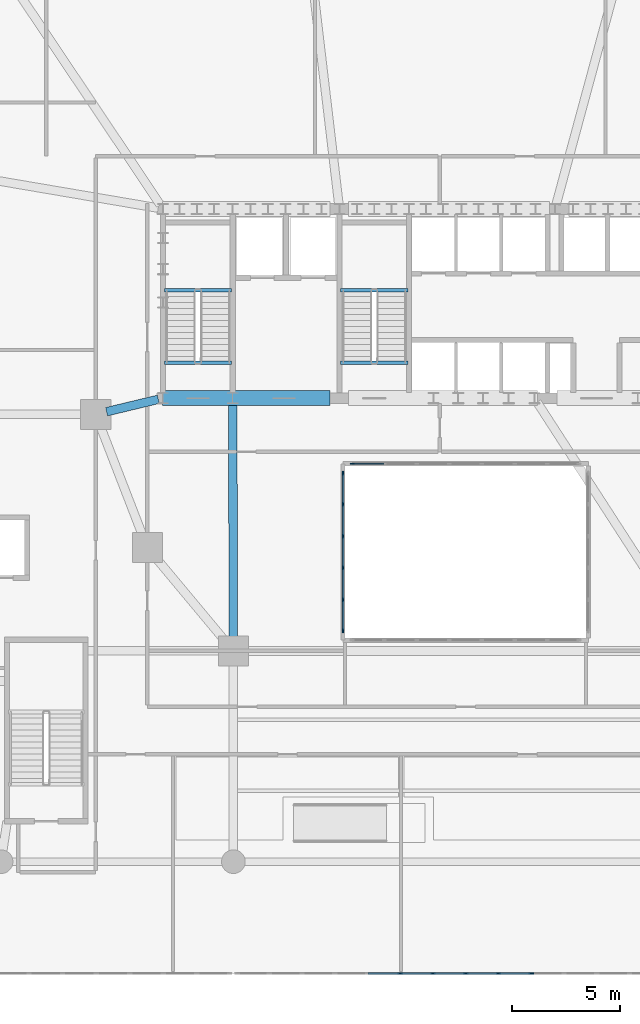
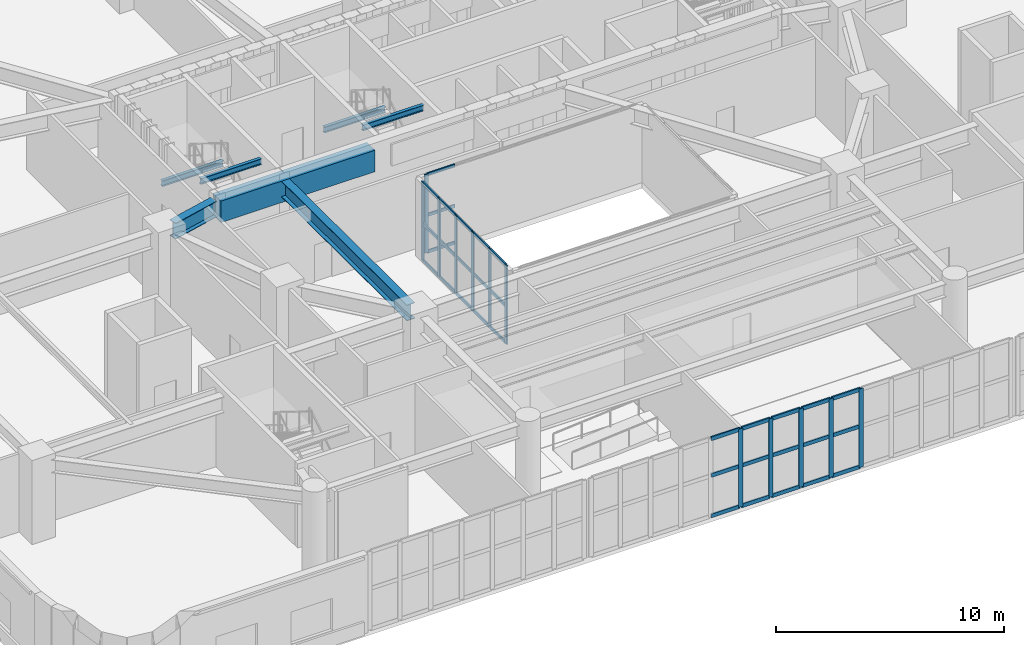
# One storey, part 4 of 25: 45 members, 7 beams, 3 elements without a shape of their own.
"""IFC4 building model written with IfcOpenShell, lengths in metres."""

import ifcopenshell
import ifcopenshell.guid

model = None  # the IFC model being written
_history = None  # IfcOwnerHistory: only IFC2X3 demands one
_inside = {}  # id of a spatial element -> (the spatial element, [elements in it])
_under = {}  # id of a project, library or spatial element -> (it, [spatial elements below it])
_declared = {}  # id of a project -> (the project, [libraries it declares])
_typed = {}  # id of a type object -> (the type object, [elements of that type])
_made_of = {}  # id of a material, layer set ... -> (it, [elements and type objects made of it])


def new_model(schema):
    """Start an empty IFC model of exactly this schema.

    Asked for "IFC4X3", IfcOpenShell would pick the latest addendum, in which some entities
    have other attributes; the version numbers below select the first issue.
    IFC2X3 requires an IfcOwnerHistory on every rooted entity: one is made here for all.
    """
    global model, _history
    if schema == "IFC4X3":
        model = ifcopenshell.file(schema_version=(4, 3, 0, 0))
    else:
        model = ifcopenshell.file(schema=schema)
    _inside.clear()
    _under.clear()
    _declared.clear()
    _typed.clear()
    _made_of.clear()
    _history = None
    if model.schema == "IFC2X3":
        org = make("IfcOrganization", Name="unknown")
        user = make(
            "IfcPersonAndOrganization",
            ThePerson=make("IfcPerson", FamilyName="unknown"),
            TheOrganization=org,
        )
        app = make(
            "IfcApplication",
            ApplicationDeveloper=org,
            Version="unknown",
            ApplicationFullName="unknown",
            ApplicationIdentifier="unknown",
        )
        _history = make(
            "IfcOwnerHistory",
            OwningUser=user,
            OwningApplication=app,
            ChangeAction="ADDED",
            CreationDate=0,
        )
    return model


def make(cls, **values):
    """One entity of the class cls with the attributes given. An attribute that is None is left unset."""
    return model.create_entity(
        cls, **{name: value for name, value in values.items() if value is not None}
    )


def rooted(cls, **values):
    """An entity with a GlobalId (a new one), such as an element, a storey or a relation."""
    return make(cls, GlobalId=ifcopenshell.guid.new(), OwnerHistory=_history, **values)


def si_unit(unit_type, name, prefix=None):
    """IfcSIUnit, for example si_unit("LENGTHUNIT", "METRE", prefix="MILLI")."""
    return make("IfcSIUnit", UnitType=unit_type, Prefix=prefix, Name=name)


def assignment(units):
    """IfcUnitAssignment: the units of a project."""
    return None if units is None else make("IfcUnitAssignment", Units=units)


def point(xyz):
    """IfcCartesianPoint."""
    return None if xyz is None else make("IfcCartesianPoint", Coordinates=xyz)


def direction(xyz):
    """IfcDirection."""
    return None if xyz is None else make("IfcDirection", DirectionRatios=xyz)


def frame(location, z_axis=None, x_axis=None):
    """IfcAxis2Placement3D, a coordinate frame: its origin and axes. An axis left out is left unset."""
    return make(
        "IfcAxis2Placement3D",
        Location=point(location),
        Axis=direction(z_axis),
        RefDirection=direction(x_axis),
    )


def frame_2d(location, x_axis=None):
    """IfcAxis2Placement2D, a coordinate frame in the plane: its origin and x axis."""
    return make(
        "IfcAxis2Placement2D", Location=point(location), RefDirection=direction(x_axis)
    )


def origin():
    """The frame at (0, 0, 0) with its axes left unset."""
    return frame((0.0, 0.0, 0.0))


def origin_2d():
    """The frame at (0, 0) in the plane with its x axis left unset."""
    return frame_2d((0.0, 0.0))


def place(relative_to, where):
    """IfcLocalPlacement: puts the frame where relative to a parent placement (None: the world)."""
    return make(
        "IfcLocalPlacement", PlacementRelTo=relative_to, RelativePlacement=where
    )


def context(
    kind, dimensions, precision=None, world=None, true_north=None, identifier=None
):
    """IfcGeometricRepresentationContext, for example the 3D "Model" context."""
    return make(
        "IfcGeometricRepresentationContext",
        ContextIdentifier=identifier,
        ContextType=kind,
        CoordinateSpaceDimension=dimensions,
        Precision=precision,
        WorldCoordinateSystem=world,
        TrueNorth=true_north,
    )


def subcontext(parent, identifier, kind, view, scale=None):
    """IfcGeometricRepresentationSubContext, for example "Body" below "Model"."""
    return make(
        "IfcGeometricRepresentationSubContext",
        ContextIdentifier=identifier,
        ContextType=kind,
        ParentContext=parent,
        TargetScale=scale,
        TargetView=view,
    )


def project(units=None, contexts=None):
    """IfcProject with its units and contexts."""
    return rooted(
        "IfcProject",
        Name="project",
        RepresentationContexts=contexts,
        UnitsInContext=assignment(units),
    )


def spatial(cls, under=None, at=None, **own):
    """A site, building, storey or space (cls), placed at a placement, below another one or the project."""
    s = rooted(cls, ObjectPlacement=at, **own)
    if under is not None:
        _under.setdefault(under.id(), (under, []))[1].append(s)
    return s


def profile(cls, at=None, kind="AREA", **sizes):
    """A parametric profile (cls). Its sizes go by their IFC names, for example OverallWidth=200.0."""
    return make(cls, ProfileType=kind, Position=at, **sizes)


def rectangle(**sizes):
    """IfcRectangleProfileDef."""
    return profile("IfcRectangleProfileDef", **sizes)


def i_section(**sizes):
    """IfcIShapeProfileDef."""
    return profile("IfcIShapeProfileDef", **sizes)


def extrude(swept, where, along, depth):
    """IfcExtrudedAreaSolid: the profile swept, set in the frame where, extruded along a direction by depth."""
    return make(
        "IfcExtrudedAreaSolid",
        SweptArea=swept,
        Position=where,
        ExtrudedDirection=direction(along),
        Depth=depth,
    )


def shape(context_of_items, identifier, shape_type, items):
    """IfcShapeRepresentation: the items that make up one representation, for example the "Body"."""
    return make(
        "IfcShapeRepresentation",
        ContextOfItems=context_of_items,
        RepresentationIdentifier=identifier,
        RepresentationType=shape_type,
        Items=items,
    )


def material(Name=None, Category=None):
    """IfcMaterial."""
    return make("IfcMaterial", Name=Name, Category=Category)


def material_profile(
    of_material, cross_section, Name=None, Category=None, Priority=None
):
    """IfcMaterialProfile: a cross section and its material."""
    return make(
        "IfcMaterialProfile",
        Name=Name,
        Material=of_material,
        Profile=cross_section,
        Priority=Priority,
        Category=Category,
    )


def profile_set(profiles, Name=None, composite=None):
    """IfcMaterialProfileSet."""
    return make(
        "IfcMaterialProfileSet",
        Name=Name,
        MaterialProfiles=profiles,
        CompositeProfile=composite,
    )


def made_of(thing, what):
    """Note that an element or type object is made of a material, layer set ...; save() writes the relation."""
    if what is not None:
        _made_of.setdefault(what.id(), (what, []))[1].append(thing)
    return thing


def type_object(cls, material=None, **own):
    """A type object (cls), such as IfcWallType, which elements share."""
    return made_of(rooted(cls, **own), material)


def element(
    cls,
    number,
    at=None,
    inside=None,
    cuts=None,
    type_object=None,
    material=None,
    context=None,
    identifier="Body",
    shape_type=None,
    held_by="IfcProductDefinitionShape",
    body=None,
    shapes=None,
    **own,
):
    """One element of the class cls, such as IfcWall. Its Tag is "e" and its number.

    at: its placement. inside: the storey or other place that contains it. cuts: it is an
    opening in that element (IfcRelVoidsElement). A single representation is given by context,
    identifier, shape_type and body (its items); several are given by shapes. held_by: the class
    of the entity that holds the representations. save() writes the other relations.
    """
    e = rooted(cls, Tag="e%d" % number, ObjectPlacement=at, **own)
    if body is not None:
        shapes = [shape(context, identifier, shape_type, body)]
    if shapes is not None:
        e.Representation = make(held_by, Representations=shapes)
    if inside is not None:
        _inside.setdefault(inside.id(), (inside, []))[1].append(e)
    if cuts is not None:
        rooted(
            "IfcRelVoidsElement", RelatingBuildingElement=cuts, RelatedOpeningElement=e
        )
    if type_object is not None:
        _typed.setdefault(type_object.id(), (type_object, []))[1].append(e)
    return made_of(e, material)


def aggregate(whole, parts):
    """IfcRelAggregates: a whole, such as a stair, and the parts it consists of."""
    return rooted("IfcRelAggregates", RelatingObject=whole, RelatedObjects=parts)


def save(model, path):
    """Write the relations noted so far, then the file.

    IfcRelAggregates (storeys below a building ...), IfcRelContainedInSpatialStructure (elements
    in a storey), IfcRelDefinesByType, IfcRelAssociatesMaterial and IfcRelDeclares: one each for
    every whole, place, type object, material and project.
    """
    for whole, parts in _under.values():
        aggregate(whole, parts)
    for where, things in _inside.values():
        rooted(
            "IfcRelContainedInSpatialStructure",
            RelatedElements=things,
            RelatingStructure=where,
        )
    for kind, things in _typed.values():
        rooted("IfcRelDefinesByType", RelatedObjects=things, RelatingType=kind)
    for what, things in _made_of.values():
        rooted("IfcRelAssociatesMaterial", RelatedObjects=things, RelatingMaterial=what)
    for by, libraries in _declared.values():
        rooted("IfcRelDeclares", RelatingContext=by, RelatedDefinitions=libraries)
    model.write(path)


model = new_model("IFC4")

# Units and contexts
model_context = context("Model", 3, precision=1e-05, world=origin(), true_north=direction((0.0, 1.0)))
body_context = subcontext(model_context, "Body", "Model", "MODEL_VIEW")
ifc_project = project(units=[si_unit("LENGTHUNIT", "METRE"), si_unit("AREAUNIT", "SQUARE_METRE"), si_unit("VOLUMEUNIT", "CUBIC_METRE"), si_unit("PLANEANGLEUNIT", "RADIAN"), si_unit("MASSUNIT", "GRAM", prefix="KILO")], contexts=[model_context])

# Site, building, storey
site_placement = place(None, origin())
site = spatial("IfcSite", under=ifc_project, at=site_placement, CompositionType="ELEMENT")
building_placement = place(site_placement, origin())
building = spatial("IfcBuilding", under=site, at=building_placement, Name="Haldorwick Loom Tower", CompositionType="ELEMENT")
storey_placement = place(building_placement, frame((0.0, 0.0, 6.0)))
storey = spatial("IfcBuildingStorey", under=building, at=storey_placement, Name="L01", CompositionType="ELEMENT", Elevation=6.0)

# Curtain wall, members
ifc_material_1 = material(Name="Thermally Broken Anodized Aluminium Curtain Wall Framing", Category="aluminium")
curtain_wall_type_1 = type_object("IfcCurtainWallType", Name="ARC-CW-01", PredefinedType="NOTDEFINED", material=ifc_material_1)
curtain_wall_1_placement = place(storey_placement, origin())
curtain_wall_1 = element("IfcCurtainWall", 1, at=curtain_wall_1_placement, inside=storey, type_object=curtain_wall_type_1, Name="L01 Facade Curtain Wall CW-01 Bay 40", PredefinedType="NOTDEFINED")
ifc_material_profile_1 = material_profile(ifc_material_1, rectangle(XDim=0.074951171875, YDim=0.219970703125, at=origin_2d()), Name="ALU_MUL_75X220", Category="aluminium")
ifc_profile_set_1 = profile_set([ifc_material_profile_1], Name="Thermally Broken Anodized Aluminium Curtain Wall Framing")
member_type_1 = type_object("IfcMemberType", Name="ARC-CWM-01", PredefinedType="MULLION", material=ifc_profile_set_1)
member_1_placement = place(storey_placement, frame((32.954345703125, 0.0, 0.0), z_axis=(0.0, 0.0, 1.0), x_axis=(0.0, 1.0, 0.0)))
member_1 = element("IfcMember", 2, at=member_1_placement, type_object=member_type_1, Name="CW-01 mullion 6", PredefinedType="MULLION", context=body_context, shape_type="SweptSolid", body=[
    extrude(rectangle(XDim=0.074951171875, YDim=0.219970703125, at=origin_2d()), origin(), (0.0, 0.0, 1.0), 4.199951171875),
])
member_2_placement = place(storey_placement, frame((34.47705078125, 0.0, 0.0), z_axis=(0.0, 0.0, 1.0), x_axis=(0.0, 1.0, 0.0)))
member_2 = element("IfcMember", 3, at=member_2_placement, type_object=member_type_1, Name="CW-01 mullion 7", PredefinedType="MULLION", context=body_context, shape_type="SweptSolid", body=[
    extrude(rectangle(XDim=0.074951171875, YDim=0.219970703125, at=origin_2d()), origin(), (0.0, 0.0, 1.0), 4.199951171875),
])
member_3_placement = place(storey_placement, frame((36.0, 0.0, 0.0), z_axis=(0.0, 0.0, 1.0), x_axis=(0.0, 1.0, 0.0)))
member_3 = element("IfcMember", 4, at=member_3_placement, type_object=member_type_1, Name="CW-01 mullion 8", PredefinedType="MULLION", context=body_context, shape_type="SweptSolid", body=[
    extrude(rectangle(XDim=0.074951171875, YDim=0.219970703125, at=origin_2d()), origin(), (0.0, 0.0, 1.0), 4.199951171875),
])
member_4_placement = place(storey_placement, frame((37.52294921875, 0.0, 0.0), z_axis=(0.0, 0.0, 1.0), x_axis=(0.0, 1.0, 0.0)))
member_4 = element("IfcMember", 5, at=member_4_placement, type_object=member_type_1, Name="CW-01 mullion 9", PredefinedType="MULLION", context=body_context, shape_type="SweptSolid", body=[
    extrude(rectangle(XDim=0.074951171875, YDim=0.219970703125, at=origin_2d()), origin(), (0.0, 0.0, 1.0), 4.199951171875),
])
member_5_placement = place(storey_placement, frame((39.045654296875, 0.0, 0.0), z_axis=(0.0, 0.0, 1.0), x_axis=(0.0, 1.0, 0.0)))
member_5 = element("IfcMember", 6, at=member_5_placement, type_object=member_type_1, Name="CW-01 mullion 10", PredefinedType="MULLION", context=body_context, shape_type="SweptSolid", body=[
    extrude(rectangle(XDim=0.074951171875, YDim=0.219970703125, at=origin_2d()), origin(), (0.0, 0.0, 1.0), 4.199951171875),
])

# Curtain wall, member
curtain_wall_type_2 = type_object("IfcCurtainWallType", Name="ARC-CW-03", PredefinedType="NOTDEFINED", material=ifc_material_1)
curtain_wall_2_placement = place(storey_placement, origin())
curtain_wall_2 = element("IfcCurtainWall", 7, at=curtain_wall_2_placement, inside=storey, type_object=curtain_wall_type_2, Name="L01 Atrium Glazed Screen N", PredefinedType="NOTDEFINED")
ifc_material_profile_2 = material_profile(ifc_material_1, rectangle(XDim=0.06591796875, YDim=0.18505859375, at=origin_2d()), Name="ALU_MUL_66X185", Category="aluminium")
ifc_profile_set_2 = profile_set([ifc_material_profile_2], Name="Thermally Broken Anodized Aluminium Curtain Wall Framing")
member_type_2 = type_object("IfcMemberType", Name="ARC-CWM-03", PredefinedType="MULLION", material=ifc_profile_set_2)
member_6_placement = place(storey_placement, frame((30.73291015625, 23.699951171875, 0.0), z_axis=(0.0, 0.0, 1.0), x_axis=(0.0, 1.0, 0.0)))
member_6 = element("IfcMember", 8, at=member_6_placement, type_object=member_type_2, Name="CW-03 mullion 1", PredefinedType="MULLION", context=body_context, shape_type="SweptSolid", body=[
    extrude(rectangle(XDim=0.06591796875, YDim=0.18505859375, at=origin_2d()), origin(), (0.0, 0.0, 1.0), 4.199951171875),
])

# Curtain wall, members
curtain_wall_3_placement = place(storey_placement, origin())
curtain_wall_3 = element("IfcCurtainWall", 9, at=curtain_wall_3_placement, inside=storey, type_object=curtain_wall_type_2, Name="L01 Atrium Glazed Screen W", PredefinedType="NOTDEFINED")
member_7_placement = place(storey_placement, frame((30.300048828125, 15.93310546875, 0.0), z_axis=(0.0, 0.0, 1.0), x_axis=(-1.0, 0.0, 0.0)))
member_7 = element("IfcMember", 10, at=member_7_placement, type_object=member_type_2, Name="CW-03 mullion 1", PredefinedType="MULLION", context=body_context, shape_type="SweptSolid", body=[
    extrude(rectangle(XDim=0.06591796875, YDim=0.18505859375, at=origin_2d()), origin(), (0.0, 0.0, 1.0), 4.199951171875),
])
member_8_placement = place(storey_placement, frame((30.300048828125, 17.3798828125, 0.0), z_axis=(0.0, 0.0, 1.0), x_axis=(-1.0, 0.0, 0.0)))
member_8 = element("IfcMember", 11, at=member_8_placement, type_object=member_type_2, Name="CW-03 mullion 2", PredefinedType="MULLION", context=body_context, shape_type="SweptSolid", body=[
    extrude(rectangle(XDim=0.06591796875, YDim=0.18505859375, at=origin_2d()), origin(), (0.0, 0.0, 1.0), 4.199951171875),
])
member_9_placement = place(storey_placement, frame((30.300048828125, 18.860107421875, 0.0), z_axis=(0.0, 0.0, 1.0), x_axis=(-1.0, 0.0, 0.0)))
member_9 = element("IfcMember", 12, at=member_9_placement, type_object=member_type_2, Name="CW-03 mullion 3", PredefinedType="MULLION", context=body_context, shape_type="SweptSolid", body=[
    extrude(rectangle(XDim=0.06591796875, YDim=0.18505859375, at=origin_2d()), origin(), (0.0, 0.0, 1.0), 4.199951171875),
])
member_10_placement = place(storey_placement, frame((30.300048828125, 20.340087890625, 0.0), z_axis=(0.0, 0.0, 1.0), x_axis=(-1.0, 0.0, 0.0)))
member_10 = element("IfcMember", 13, at=member_10_placement, type_object=member_type_2, Name="CW-03 mullion 4", PredefinedType="MULLION", context=body_context, shape_type="SweptSolid", body=[
    extrude(rectangle(XDim=0.06591796875, YDim=0.18505859375, at=origin_2d()), origin(), (0.0, 0.0, 1.0), 4.199951171875),
])
member_11_placement = place(storey_placement, frame((30.300048828125, 21.820068359375, 0.0), z_axis=(0.0, 0.0, 1.0), x_axis=(-1.0, 0.0, 0.0)))
member_11 = element("IfcMember", 14, at=member_11_placement, type_object=member_type_2, Name="CW-03 mullion 5", PredefinedType="MULLION", context=body_context, shape_type="SweptSolid", body=[
    extrude(rectangle(XDim=0.06591796875, YDim=0.18505859375, at=origin_2d()), origin(), (0.0, 0.0, 1.0), 4.199951171875),
])
member_12_placement = place(storey_placement, frame((30.300048828125, 23.26708984375, 0.0), z_axis=(0.0, 0.0, 1.0), x_axis=(-1.0, 0.0, 0.0)))
member_12 = element("IfcMember", 15, at=member_12_placement, type_object=member_type_2, Name="CW-03 mullion 6", PredefinedType="MULLION", context=body_context, shape_type="SweptSolid", body=[
    extrude(rectangle(XDim=0.06591796875, YDim=0.18505859375, at=origin_2d()), origin(), (0.0, 0.0, 1.0), 4.199951171875),
])

# Member
ifc_material_profile_3 = material_profile(ifc_material_1, rectangle(XDim=0.074951171875, YDim=0.199951171875, at=origin_2d()), Name="ALU_TRN_75X200", Category="aluminium")
ifc_profile_set_3 = profile_set([ifc_material_profile_3], Name="Thermally Broken Anodized Aluminium Curtain Wall Framing")
member_type_3 = type_object("IfcMemberType", Name="ARC-CWT-01", PredefinedType="USERDEFINED", material=ifc_profile_set_3)
member_13_placement = place(storey_placement, frame((31.468994140625, 0.0, 0.03759765625), z_axis=(1.0, 0.0, 0.0), x_axis=(0.0, 1.0, 0.0)))
member_13 = element("IfcMember", 16, at=member_13_placement, type_object=member_type_3, Name="CW-01 transom 5.1", ObjectType="TRANSOM", PredefinedType="USERDEFINED", context=body_context, shape_type="SweptSolid", body=[
    extrude(rectangle(XDim=0.074951171875, YDim=0.199951171875, at=origin_2d()), origin(), (0.0, 0.0, 1.0), 1.44775390625),
])

member_14_placement = place(storey_placement, frame((31.468994140625, 0.0, 2.199951171875), z_axis=(1.0, 0.0, 0.0), x_axis=(0.0, 1.0, 0.0)))
member_14 = element("IfcMember", 17, at=member_14_placement, type_object=member_type_3, Name="CW-01 transom 5.2", ObjectType="TRANSOM", PredefinedType="USERDEFINED", context=body_context, shape_type="SweptSolid", body=[
    extrude(rectangle(XDim=0.074951171875, YDim=0.199951171875, at=origin_2d()), origin(), (0.0, 0.0, 1.0), 1.44775390625),
])

member_15_placement = place(storey_placement, frame((31.468994140625, 0.0, 4.16259765625), z_axis=(1.0, 0.0, 0.0), x_axis=(0.0, 1.0, 0.0)))
member_15 = element("IfcMember", 18, at=member_15_placement, type_object=member_type_3, Name="CW-01 transom 5.3", ObjectType="TRANSOM", PredefinedType="USERDEFINED", context=body_context, shape_type="SweptSolid", body=[
    extrude(rectangle(XDim=0.074951171875, YDim=0.199951171875, at=origin_2d()), origin(), (0.0, 0.0, 1.0), 1.44775390625),
])

member_16_placement = place(storey_placement, frame((32.99169921875, 0.0, 0.03759765625), z_axis=(1.0, 0.0, 0.0), x_axis=(0.0, 1.0, 0.0)))
member_16 = element("IfcMember", 19, at=member_16_placement, type_object=member_type_3, Name="CW-01 transom 6.1", ObjectType="TRANSOM", PredefinedType="USERDEFINED", context=body_context, shape_type="SweptSolid", body=[
    extrude(rectangle(XDim=0.074951171875, YDim=0.199951171875, at=origin_2d()), origin(), (0.0, 0.0, 1.0), 1.447998046875),
])

member_17_placement = place(storey_placement, frame((32.99169921875, 0.0, 2.199951171875), z_axis=(1.0, 0.0, 0.0), x_axis=(0.0, 1.0, 0.0)))
member_17 = element("IfcMember", 20, at=member_17_placement, type_object=member_type_3, Name="CW-01 transom 6.2", ObjectType="TRANSOM", PredefinedType="USERDEFINED", context=body_context, shape_type="SweptSolid", body=[
    extrude(rectangle(XDim=0.074951171875, YDim=0.199951171875, at=origin_2d()), origin(), (0.0, 0.0, 1.0), 1.447998046875),
])

member_18_placement = place(storey_placement, frame((32.99169921875, 0.0, 4.16259765625), z_axis=(1.0, 0.0, 0.0), x_axis=(0.0, 1.0, 0.0)))
member_18 = element("IfcMember", 21, at=member_18_placement, type_object=member_type_3, Name="CW-01 transom 6.3", ObjectType="TRANSOM", PredefinedType="USERDEFINED", context=body_context, shape_type="SweptSolid", body=[
    extrude(rectangle(XDim=0.074951171875, YDim=0.199951171875, at=origin_2d()), origin(), (0.0, 0.0, 1.0), 1.447998046875),
])

member_19_placement = place(storey_placement, frame((34.5146484375, 0.0, 0.03759765625), z_axis=(1.0, 0.0, 0.0), x_axis=(0.0, 1.0, 0.0)))
member_19 = element("IfcMember", 22, at=member_19_placement, type_object=member_type_3, Name="CW-01 transom 7.1", ObjectType="TRANSOM", PredefinedType="USERDEFINED", context=body_context, shape_type="SweptSolid", body=[
    extrude(rectangle(XDim=0.074951171875, YDim=0.199951171875, at=origin_2d()), origin(), (0.0, 0.0, 1.0), 1.44775390625),
])

member_20_placement = place(storey_placement, frame((34.5146484375, 0.0, 2.199951171875), z_axis=(1.0, 0.0, 0.0), x_axis=(0.0, 1.0, 0.0)))
member_20 = element("IfcMember", 23, at=member_20_placement, type_object=member_type_3, Name="CW-01 transom 7.2", ObjectType="TRANSOM", PredefinedType="USERDEFINED", context=body_context, shape_type="SweptSolid", body=[
    extrude(rectangle(XDim=0.074951171875, YDim=0.199951171875, at=origin_2d()), origin(), (0.0, 0.0, 1.0), 1.44775390625),
])

member_21_placement = place(storey_placement, frame((34.5146484375, 0.0, 4.16259765625), z_axis=(1.0, 0.0, 0.0), x_axis=(0.0, 1.0, 0.0)))
member_21 = element("IfcMember", 24, at=member_21_placement, type_object=member_type_3, Name="CW-01 transom 7.3", ObjectType="TRANSOM", PredefinedType="USERDEFINED", context=body_context, shape_type="SweptSolid", body=[
    extrude(rectangle(XDim=0.074951171875, YDim=0.199951171875, at=origin_2d()), origin(), (0.0, 0.0, 1.0), 1.44775390625),
])

member_22_placement = place(storey_placement, frame((36.03759765625, 0.0, 0.03759765625), z_axis=(1.0, 0.0, 0.0), x_axis=(0.0, 1.0, 0.0)))
member_22 = element("IfcMember", 25, at=member_22_placement, type_object=member_type_3, Name="CW-01 transom 8.1", ObjectType="TRANSOM", PredefinedType="USERDEFINED", context=body_context, shape_type="SweptSolid", body=[
    extrude(rectangle(XDim=0.074951171875, YDim=0.199951171875, at=origin_2d()), origin(), (0.0, 0.0, 1.0), 1.44775390625),
])

member_23_placement = place(storey_placement, frame((36.03759765625, 0.0, 2.199951171875), z_axis=(1.0, 0.0, 0.0), x_axis=(0.0, 1.0, 0.0)))
member_23 = element("IfcMember", 26, at=member_23_placement, type_object=member_type_3, Name="CW-01 transom 8.2", ObjectType="TRANSOM", PredefinedType="USERDEFINED", context=body_context, shape_type="SweptSolid", body=[
    extrude(rectangle(XDim=0.074951171875, YDim=0.199951171875, at=origin_2d()), origin(), (0.0, 0.0, 1.0), 1.44775390625),
])

member_24_placement = place(storey_placement, frame((36.03759765625, 0.0, 4.16259765625), z_axis=(1.0, 0.0, 0.0), x_axis=(0.0, 1.0, 0.0)))
member_24 = element("IfcMember", 27, at=member_24_placement, type_object=member_type_3, Name="CW-01 transom 8.3", ObjectType="TRANSOM", PredefinedType="USERDEFINED", context=body_context, shape_type="SweptSolid", body=[
    extrude(rectangle(XDim=0.074951171875, YDim=0.199951171875, at=origin_2d()), origin(), (0.0, 0.0, 1.0), 1.44775390625),
])

member_25_placement = place(storey_placement, frame((37.560302734375, 0.0, 0.03759765625), z_axis=(1.0, 0.0, 0.0), x_axis=(0.0, 1.0, 0.0)))
member_25 = element("IfcMember", 28, at=member_25_placement, type_object=member_type_3, Name="CW-01 transom 9.1", ObjectType="TRANSOM", PredefinedType="USERDEFINED", context=body_context, shape_type="SweptSolid", body=[
    extrude(rectangle(XDim=0.074951171875, YDim=0.199951171875, at=origin_2d()), origin(), (0.0, 0.0, 1.0), 1.447998046875),
])

member_26_placement = place(storey_placement, frame((37.560302734375, 0.0, 2.199951171875), z_axis=(1.0, 0.0, 0.0), x_axis=(0.0, 1.0, 0.0)))
member_26 = element("IfcMember", 29, at=member_26_placement, type_object=member_type_3, Name="CW-01 transom 9.2", ObjectType="TRANSOM", PredefinedType="USERDEFINED", context=body_context, shape_type="SweptSolid", body=[
    extrude(rectangle(XDim=0.074951171875, YDim=0.199951171875, at=origin_2d()), origin(), (0.0, 0.0, 1.0), 1.447998046875),
])

member_27_placement = place(storey_placement, frame((37.560302734375, 0.0, 4.16259765625), z_axis=(1.0, 0.0, 0.0), x_axis=(0.0, 1.0, 0.0)))
member_27 = element("IfcMember", 30, at=member_27_placement, type_object=member_type_3, Name="CW-01 transom 9.3", ObjectType="TRANSOM", PredefinedType="USERDEFINED", context=body_context, shape_type="SweptSolid", body=[
    extrude(rectangle(XDim=0.074951171875, YDim=0.199951171875, at=origin_2d()), origin(), (0.0, 0.0, 1.0), 1.447998046875),
])

aggregate(curtain_wall_1, [member_1, member_2, member_3, member_4, member_5, member_13, member_14, member_15, member_16, member_17, member_18, member_19, member_20, member_21, member_22, member_23, member_24, member_25, member_26, member_27])

ifc_material_profile_4 = material_profile(ifc_material_1, rectangle(XDim=0.06591796875, YDim=0.1650390625, at=origin_2d()), Name="ALU_TRN_66X165", Category="aluminium")
ifc_profile_set_4 = profile_set([ifc_material_profile_4], Name="Thermally Broken Anodized Aluminium Curtain Wall Framing")
member_type_4 = type_object("IfcMemberType", Name="ARC-CWT-03", PredefinedType="USERDEFINED", material=ifc_profile_set_4)
member_28_placement = place(storey_placement, frame((30.76611328125, 23.699951171875, 0.032958984375), z_axis=(1.0, 0.0, 0.0), x_axis=(0.0, 1.0, 0.0)))
member_28 = element("IfcMember", 31, at=member_28_placement, type_object=member_type_4, Name="CW-03 transom 1.1", ObjectType="TRANSOM", PredefinedType="USERDEFINED", context=body_context, shape_type="SweptSolid", body=[
    extrude(rectangle(XDim=0.06591796875, YDim=0.1650390625, at=origin_2d()), origin(), (0.0, 0.0, 1.0), 1.415283203125),
])

member_29_placement = place(storey_placement, frame((30.76611328125, 23.699951171875, 2.0), z_axis=(1.0, 0.0, 0.0), x_axis=(0.0, 1.0, 0.0)))
member_29 = element("IfcMember", 32, at=member_29_placement, type_object=member_type_4, Name="CW-03 transom 1.2", ObjectType="TRANSOM", PredefinedType="USERDEFINED", context=body_context, shape_type="SweptSolid", body=[
    extrude(rectangle(XDim=0.06591796875, YDim=0.1650390625, at=origin_2d()), origin(), (0.0, 0.0, 1.0), 1.415283203125),
])

member_30_placement = place(storey_placement, frame((30.76611328125, 23.699951171875, 4.1669921875), z_axis=(1.0, 0.0, 0.0), x_axis=(0.0, 1.0, 0.0)))
member_30 = element("IfcMember", 33, at=member_30_placement, type_object=member_type_4, Name="CW-03 transom 1.3", ObjectType="TRANSOM", PredefinedType="USERDEFINED", context=body_context, shape_type="SweptSolid", body=[
    extrude(rectangle(XDim=0.06591796875, YDim=0.1650390625, at=origin_2d()), origin(), (0.0, 0.0, 1.0), 1.415283203125),
])

aggregate(curtain_wall_2, [member_6, member_28, member_29, member_30])

member_31_placement = place(storey_placement, frame((30.300048828125, 15.966064453125, 0.032958984375), z_axis=(0.0, 1.0, 0.0), x_axis=(-1.0, 0.0, 0.0)))
member_31 = element("IfcMember", 34, at=member_31_placement, type_object=member_type_4, Name="CW-03 transom 1.1", ObjectType="TRANSOM", PredefinedType="USERDEFINED", context=body_context, shape_type="SweptSolid", body=[
    extrude(rectangle(XDim=0.06591796875, YDim=0.1650390625, at=origin_2d()), origin(), (0.0, 0.0, 1.0), 1.380859375),
])

member_32_placement = place(storey_placement, frame((30.300048828125, 15.966064453125, 2.0), z_axis=(0.0, 1.0, 0.0), x_axis=(-1.0, 0.0, 0.0)))
member_32 = element("IfcMember", 35, at=member_32_placement, type_object=member_type_4, Name="CW-03 transom 1.2", ObjectType="TRANSOM", PredefinedType="USERDEFINED", context=body_context, shape_type="SweptSolid", body=[
    extrude(rectangle(XDim=0.06591796875, YDim=0.1650390625, at=origin_2d()), origin(), (0.0, 0.0, 1.0), 1.380859375),
])

member_33_placement = place(storey_placement, frame((30.300048828125, 15.966064453125, 4.1669921875), z_axis=(0.0, 1.0, 0.0), x_axis=(-1.0, 0.0, 0.0)))
member_33 = element("IfcMember", 36, at=member_33_placement, type_object=member_type_4, Name="CW-03 transom 1.3", ObjectType="TRANSOM", PredefinedType="USERDEFINED", context=body_context, shape_type="SweptSolid", body=[
    extrude(rectangle(XDim=0.06591796875, YDim=0.1650390625, at=origin_2d()), origin(), (0.0, 0.0, 1.0), 1.380859375),
])

member_34_placement = place(storey_placement, frame((30.300048828125, 17.4130859375, 0.032958984375), z_axis=(0.0, 1.0, 0.0), x_axis=(-1.0, 0.0, 0.0)))
member_34 = element("IfcMember", 37, at=member_34_placement, type_object=member_type_4, Name="CW-03 transom 2.1", ObjectType="TRANSOM", PredefinedType="USERDEFINED", context=body_context, shape_type="SweptSolid", body=[
    extrude(rectangle(XDim=0.06591796875, YDim=0.1650390625, at=origin_2d()), origin(), (0.0, 0.0, 1.0), 1.413818359375),
])

member_35_placement = place(storey_placement, frame((30.300048828125, 17.4130859375, 2.0), z_axis=(0.0, 1.0, 0.0), x_axis=(-1.0, 0.0, 0.0)))
member_35 = element("IfcMember", 38, at=member_35_placement, type_object=member_type_4, Name="CW-03 transom 2.2", ObjectType="TRANSOM", PredefinedType="USERDEFINED", context=body_context, shape_type="SweptSolid", body=[
    extrude(rectangle(XDim=0.06591796875, YDim=0.1650390625, at=origin_2d()), origin(), (0.0, 0.0, 1.0), 1.413818359375),
])

member_36_placement = place(storey_placement, frame((30.300048828125, 17.4130859375, 4.1669921875), z_axis=(0.0, 1.0, 0.0), x_axis=(-1.0, 0.0, 0.0)))
member_36 = element("IfcMember", 39, at=member_36_placement, type_object=member_type_4, Name="CW-03 transom 2.3", ObjectType="TRANSOM", PredefinedType="USERDEFINED", context=body_context, shape_type="SweptSolid", body=[
    extrude(rectangle(XDim=0.06591796875, YDim=0.1650390625, at=origin_2d()), origin(), (0.0, 0.0, 1.0), 1.413818359375),
])

member_37_placement = place(storey_placement, frame((30.300048828125, 18.89306640625, 0.032958984375), z_axis=(0.0, 1.0, 0.0), x_axis=(-1.0, 0.0, 0.0)))
member_37 = element("IfcMember", 40, at=member_37_placement, type_object=member_type_4, Name="CW-03 transom 3.1", ObjectType="TRANSOM", PredefinedType="USERDEFINED", context=body_context, shape_type="SweptSolid", body=[
    extrude(rectangle(XDim=0.06591796875, YDim=0.1650390625, at=origin_2d()), origin(), (0.0, 0.0, 1.0), 1.413818359375),
])

member_38_placement = place(storey_placement, frame((30.300048828125, 18.89306640625, 2.0), z_axis=(0.0, 1.0, 0.0), x_axis=(-1.0, 0.0, 0.0)))
member_38 = element("IfcMember", 41, at=member_38_placement, type_object=member_type_4, Name="CW-03 transom 3.2", ObjectType="TRANSOM", PredefinedType="USERDEFINED", context=body_context, shape_type="SweptSolid", body=[
    extrude(rectangle(XDim=0.06591796875, YDim=0.1650390625, at=origin_2d()), origin(), (0.0, 0.0, 1.0), 1.413818359375),
])

member_39_placement = place(storey_placement, frame((30.300048828125, 18.89306640625, 4.1669921875), z_axis=(0.0, 1.0, 0.0), x_axis=(-1.0, 0.0, 0.0)))
member_39 = element("IfcMember", 42, at=member_39_placement, type_object=member_type_4, Name="CW-03 transom 3.3", ObjectType="TRANSOM", PredefinedType="USERDEFINED", context=body_context, shape_type="SweptSolid", body=[
    extrude(rectangle(XDim=0.06591796875, YDim=0.1650390625, at=origin_2d()), origin(), (0.0, 0.0, 1.0), 1.413818359375),
])

member_40_placement = place(storey_placement, frame((30.300048828125, 20.373046875, 0.032958984375), z_axis=(0.0, 1.0, 0.0), x_axis=(-1.0, 0.0, 0.0)))
member_40 = element("IfcMember", 43, at=member_40_placement, type_object=member_type_4, Name="CW-03 transom 4.1", ObjectType="TRANSOM", PredefinedType="USERDEFINED", context=body_context, shape_type="SweptSolid", body=[
    extrude(rectangle(XDim=0.06591796875, YDim=0.1650390625, at=origin_2d()), origin(), (0.0, 0.0, 1.0), 1.4140625),
])

member_41_placement = place(storey_placement, frame((30.300048828125, 20.373046875, 2.0), z_axis=(0.0, 1.0, 0.0), x_axis=(-1.0, 0.0, 0.0)))
member_41 = element("IfcMember", 44, at=member_41_placement, type_object=member_type_4, Name="CW-03 transom 4.2", ObjectType="TRANSOM", PredefinedType="USERDEFINED", context=body_context, shape_type="SweptSolid", body=[
    extrude(rectangle(XDim=0.06591796875, YDim=0.1650390625, at=origin_2d()), origin(), (0.0, 0.0, 1.0), 1.4140625),
])

member_42_placement = place(storey_placement, frame((30.300048828125, 20.373046875, 4.1669921875), z_axis=(0.0, 1.0, 0.0), x_axis=(-1.0, 0.0, 0.0)))
member_42 = element("IfcMember", 45, at=member_42_placement, type_object=member_type_4, Name="CW-03 transom 4.3", ObjectType="TRANSOM", PredefinedType="USERDEFINED", context=body_context, shape_type="SweptSolid", body=[
    extrude(rectangle(XDim=0.06591796875, YDim=0.1650390625, at=origin_2d()), origin(), (0.0, 0.0, 1.0), 1.4140625),
])

member_43_placement = place(storey_placement, frame((30.300048828125, 21.85302734375, 0.032958984375), z_axis=(0.0, 1.0, 0.0), x_axis=(-1.0, 0.0, 0.0)))
member_43 = element("IfcMember", 46, at=member_43_placement, type_object=member_type_4, Name="CW-03 transom 5.1", ObjectType="TRANSOM", PredefinedType="USERDEFINED", context=body_context, shape_type="SweptSolid", body=[
    extrude(rectangle(XDim=0.06591796875, YDim=0.1650390625, at=origin_2d()), origin(), (0.0, 0.0, 1.0), 1.380859375),
])

member_44_placement = place(storey_placement, frame((30.300048828125, 21.85302734375, 2.0), z_axis=(0.0, 1.0, 0.0), x_axis=(-1.0, 0.0, 0.0)))
member_44 = element("IfcMember", 47, at=member_44_placement, type_object=member_type_4, Name="CW-03 transom 5.2", ObjectType="TRANSOM", PredefinedType="USERDEFINED", context=body_context, shape_type="SweptSolid", body=[
    extrude(rectangle(XDim=0.06591796875, YDim=0.1650390625, at=origin_2d()), origin(), (0.0, 0.0, 1.0), 1.380859375),
])

member_45_placement = place(storey_placement, frame((30.300048828125, 21.85302734375, 4.1669921875), z_axis=(0.0, 1.0, 0.0), x_axis=(-1.0, 0.0, 0.0)))
member_45 = element("IfcMember", 48, at=member_45_placement, type_object=member_type_4, Name="CW-03 transom 5.3", ObjectType="TRANSOM", PredefinedType="USERDEFINED", context=body_context, shape_type="SweptSolid", body=[
    extrude(rectangle(XDim=0.06591796875, YDim=0.1650390625, at=origin_2d()), origin(), (0.0, 0.0, 1.0), 1.380859375),
])

aggregate(curtain_wall_3, [member_7, member_8, member_9, member_10, member_11, member_12, member_31, member_32, member_33, member_34, member_35, member_36, member_37, member_38, member_39, member_40, member_41, member_42, member_43, member_44, member_45])

# Beams
ifc_material_2 = material(Name="Concrete C60 (60 MPa)", Category="concrete")
ifc_material_profile_5 = material_profile(ifc_material_2, rectangle(XDim=0.699951171875, YDim=1.14990234375, at=origin_2d()), Name="RC700X1150", Category="concrete")
ifc_profile_set_5 = profile_set([ifc_material_profile_5], Name="Concrete C60 (60 MPa)")
beam_type_1 = type_object("IfcBeamType", Name="STR-BM-CB1150", PredefinedType="LINTEL", material=ifc_profile_set_5)
beam_1_placement = place(storey_placement, frame((21.89990234375, 26.75, 3.625), z_axis=(1.0, 0.0, 0.0), x_axis=(0.0, 1.0, 0.0)))
element("IfcBeam", 49, at=beam_1_placement, inside=storey, type_object=beam_type_1, Name="L01 Core Coupling Beam CB-S1", PredefinedType="LINTEL", context=body_context, shape_type="SweptSolid", body=[
    extrude(rectangle(XDim=0.699951171875, YDim=1.14990234375, at=origin_2d()), origin(), (0.0, 0.0, 1.0), 7.800048828125),
])
ifc_material_3 = material(Name="Steel CSA G40.21 350W", Category="steel")
ifc_material_profile_6 = material_profile(ifc_material_3, i_section(OverallWidth=0.166015625, OverallDepth=0.31298828125, WebThickness=0.006591796875, FlangeThickness=0.01123046875, at=origin_2d()), Name="W310X45", Category="steel")
ifc_profile_set_6 = profile_set([ifc_material_profile_6], Name="Steel CSA G40.21 350W")
beam_type_2 = type_object("IfcBeamType", Name="STR-BM-STRM", PredefinedType="BEAM", material=ifc_profile_set_6)
for number, where, z_axis, x_axis, name in (
    (50, (21.989990234375, 28.39990234375, 4.04345703125), (1.0, 0.0, 0.0), (0.0, 1.0, 0.0), "L01 Stair ST-01 Landing Edge Trimmer"),
    (51, (21.989990234375, 31.760009765625, 1.8935546875), (1.0, 0.0, 0.0), (0.0, 1.0, 0.0), "L01 Stair ST-01 Half-Landing Trimmer 1"),
    (52, (30.18994140625, 28.39990234375, 4.04345703125), (1.0, 0.0, 0.0), (0.0, 1.0, 0.0), "L01 Stair ST-03 Landing Edge Trimmer"),
    (53, (30.18994140625, 31.760009765625, 1.8935546875), (1.0, 0.0, 0.0), (0.0, 1.0, 0.0), "L01 Stair ST-03 Half-Landing Trimmer 1"),
):
    element("IfcBeam", number, at=place(storey_placement, frame(where, z_axis=z_axis, x_axis=x_axis)), inside=storey, type_object=beam_type_2, Name=name, PredefinedType="BEAM", context=body_context, shape_type="SweptSolid", body=[
        extrude(i_section(OverallWidth=0.166015625, OverallDepth=0.31298828125, WebThickness=0.006591796875, FlangeThickness=0.01123046875, at=origin_2d()), origin(), (0.0, 0.0, 1.0), 3.1201171875),
    ])
ifc_material_profile_7 = material_profile(ifc_material_3, i_section(OverallWidth=0.39990234375, OverallDepth=0.85498046875, WebThickness=0.018310546875, FlangeThickness=0.029296875, at=origin_2d()), Name="W840X299", Category="steel")
ifc_profile_set_7 = profile_set([ifc_material_profile_7], Name="Steel CSA G40.21 350W")
beam_type_3 = type_object("IfcBeamType", Name="STR-BM-W840", PredefinedType="BEAM", material=ifc_profile_set_7)
beam_2_placement = place(storey_placement, frame((21.711181640625, 26.697509765625, 3.7724609375), z_axis=(-0.97247055837, -0.233025777764, 0.0), x_axis=(0.233025777764, -0.97247055837, 0.0)))
element("IfcBeam", 54, at=beam_2_placement, inside=storey, type_object=beam_type_3, Name="L01 Podium Inner Girder INW-1", PredefinedType="BEAM", context=body_context, shape_type="SweptSolid", body=[
    extrude(i_section(OverallWidth=0.39990234375, OverallDepth=0.85498046875, WebThickness=0.018310546875, FlangeThickness=0.029296875, at=origin_2d()), origin(), (0.0, 0.0, 1.0), 2.4736328125),
])
beam_3_placement = place(storey_placement, frame((25.198974609375, 15.449951171875, 3.7724609375), z_axis=(-0.00255714174, 0.999996730508, 0.0), x_axis=(-0.999996730508, -0.00255714174, 0.0)))
element("IfcBeam", 55, at=beam_3_placement, inside=storey, type_object=beam_type_3, Name="L01 Podium Primary Girder PG-04", PredefinedType="BEAM", context=body_context, shape_type="SweptSolid", body=[
    extrude(i_section(OverallWidth=0.39990234375, OverallDepth=0.85498046875, WebThickness=0.018310546875, FlangeThickness=0.029296875, at=origin_2d()), origin(), (0.0, 0.0, 1.0), 11.074951171875),
])

save(model, "model.ifc")
